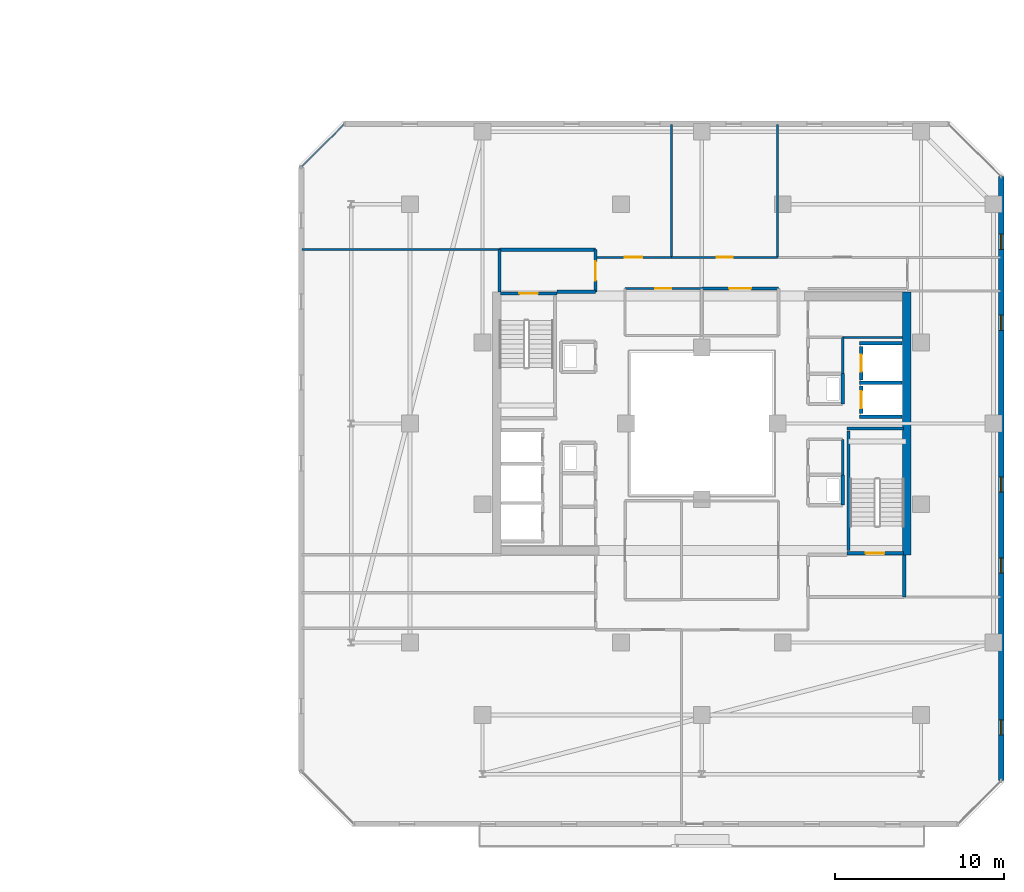
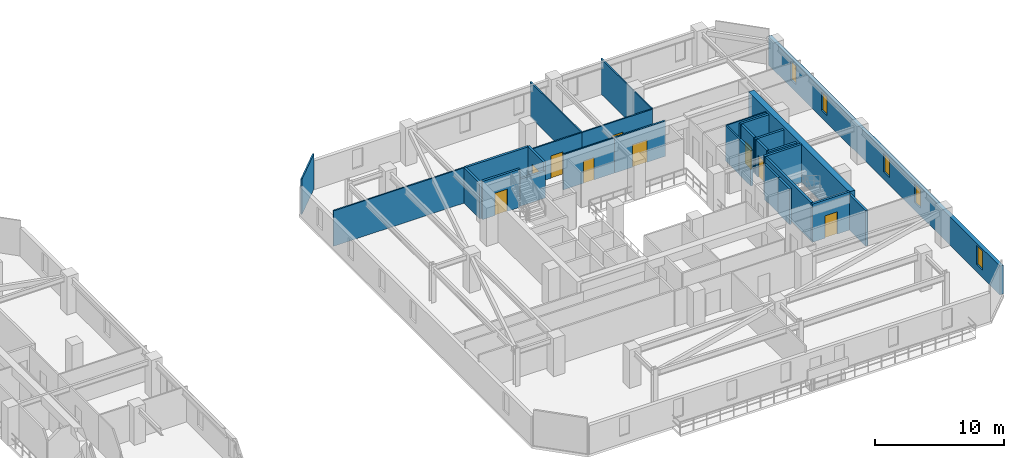
# One storey, part 25 of 33: 29 walls, 9 doors, 5 windows, 14 openings.
"""IFC4 building model written with IfcOpenShell, lengths in metres."""

import ifcopenshell
import ifcopenshell.guid

model = None  # the IFC model being written
_history = None  # IfcOwnerHistory: only IFC2X3 demands one
_inside = {}  # id of a spatial element -> (the spatial element, [elements in it])
_under = {}  # id of a project, library or spatial element -> (it, [spatial elements below it])
_declared = {}  # id of a project -> (the project, [libraries it declares])
_typed = {}  # id of a type object -> (the type object, [elements of that type])
_made_of = {}  # id of a material, layer set ... -> (it, [elements and type objects made of it])


def new_model(schema):
    """Start an empty IFC model of exactly this schema.

    Asked for "IFC4X3", IfcOpenShell would pick the latest addendum, in which some entities
    have other attributes; the version numbers below select the first issue.
    IFC2X3 requires an IfcOwnerHistory on every rooted entity: one is made here for all.
    """
    global model, _history
    if schema == "IFC4X3":
        model = ifcopenshell.file(schema_version=(4, 3, 0, 0))
    else:
        model = ifcopenshell.file(schema=schema)
    _inside.clear()
    _under.clear()
    _declared.clear()
    _typed.clear()
    _made_of.clear()
    _history = None
    if model.schema == "IFC2X3":
        org = make("IfcOrganization", Name="unknown")
        user = make(
            "IfcPersonAndOrganization",
            ThePerson=make("IfcPerson", FamilyName="unknown"),
            TheOrganization=org,
        )
        app = make(
            "IfcApplication",
            ApplicationDeveloper=org,
            Version="unknown",
            ApplicationFullName="unknown",
            ApplicationIdentifier="unknown",
        )
        _history = make(
            "IfcOwnerHistory",
            OwningUser=user,
            OwningApplication=app,
            ChangeAction="ADDED",
            CreationDate=0,
        )
    return model


def make(cls, **values):
    """One entity of the class cls with the attributes given. An attribute that is None is left unset."""
    return model.create_entity(
        cls, **{name: value for name, value in values.items() if value is not None}
    )


def rooted(cls, **values):
    """An entity with a GlobalId (a new one), such as an element, a storey or a relation."""
    return make(cls, GlobalId=ifcopenshell.guid.new(), OwnerHistory=_history, **values)


def si_unit(unit_type, name, prefix=None):
    """IfcSIUnit, for example si_unit("LENGTHUNIT", "METRE", prefix="MILLI")."""
    return make("IfcSIUnit", UnitType=unit_type, Prefix=prefix, Name=name)


def assignment(units):
    """IfcUnitAssignment: the units of a project."""
    return None if units is None else make("IfcUnitAssignment", Units=units)


def point(xyz):
    """IfcCartesianPoint."""
    return None if xyz is None else make("IfcCartesianPoint", Coordinates=xyz)


def direction(xyz):
    """IfcDirection."""
    return None if xyz is None else make("IfcDirection", DirectionRatios=xyz)


def frame(location, z_axis=None, x_axis=None):
    """IfcAxis2Placement3D, a coordinate frame: its origin and axes. An axis left out is left unset."""
    return make(
        "IfcAxis2Placement3D",
        Location=point(location),
        Axis=direction(z_axis),
        RefDirection=direction(x_axis),
    )


def frame_2d(location, x_axis=None):
    """IfcAxis2Placement2D, a coordinate frame in the plane: its origin and x axis."""
    return make(
        "IfcAxis2Placement2D", Location=point(location), RefDirection=direction(x_axis)
    )


def origin():
    """The frame at (0, 0, 0) with its axes left unset."""
    return frame((0.0, 0.0, 0.0))


def place(relative_to, where):
    """IfcLocalPlacement: puts the frame where relative to a parent placement (None: the world)."""
    return make(
        "IfcLocalPlacement", PlacementRelTo=relative_to, RelativePlacement=where
    )


def context(
    kind, dimensions, precision=None, world=None, true_north=None, identifier=None
):
    """IfcGeometricRepresentationContext, for example the 3D "Model" context."""
    return make(
        "IfcGeometricRepresentationContext",
        ContextIdentifier=identifier,
        ContextType=kind,
        CoordinateSpaceDimension=dimensions,
        Precision=precision,
        WorldCoordinateSystem=world,
        TrueNorth=true_north,
    )


def subcontext(parent, identifier, kind, view, scale=None):
    """IfcGeometricRepresentationSubContext, for example "Body" below "Model"."""
    return make(
        "IfcGeometricRepresentationSubContext",
        ContextIdentifier=identifier,
        ContextType=kind,
        ParentContext=parent,
        TargetScale=scale,
        TargetView=view,
    )


def project(units=None, contexts=None):
    """IfcProject with its units and contexts."""
    return rooted(
        "IfcProject",
        Name="project",
        RepresentationContexts=contexts,
        UnitsInContext=assignment(units),
    )


def spatial(cls, under=None, at=None, **own):
    """A site, building, storey or space (cls), placed at a placement, below another one or the project."""
    s = rooted(cls, ObjectPlacement=at, **own)
    if under is not None:
        _under.setdefault(under.id(), (under, []))[1].append(s)
    return s


def profile(cls, at=None, kind="AREA", **sizes):
    """A parametric profile (cls). Its sizes go by their IFC names, for example OverallWidth=200.0."""
    return make(cls, ProfileType=kind, Position=at, **sizes)


def rectangle(**sizes):
    """IfcRectangleProfileDef."""
    return profile("IfcRectangleProfileDef", **sizes)


def extrude(swept, where, along, depth):
    """IfcExtrudedAreaSolid: the profile swept, set in the frame where, extruded along a direction by depth."""
    return make(
        "IfcExtrudedAreaSolid",
        SweptArea=swept,
        Position=where,
        ExtrudedDirection=direction(along),
        Depth=depth,
    )


def shape(context_of_items, identifier, shape_type, items):
    """IfcShapeRepresentation: the items that make up one representation, for example the "Body"."""
    return make(
        "IfcShapeRepresentation",
        ContextOfItems=context_of_items,
        RepresentationIdentifier=identifier,
        RepresentationType=shape_type,
        Items=items,
    )


def material(Name=None, Category=None):
    """IfcMaterial."""
    return make("IfcMaterial", Name=Name, Category=Category)


def layer(
    of_material, thickness, ventilated=None, Name=None, Category=None, Priority=None
):
    """IfcMaterialLayer: one layer of a wall or slab, of a material (None: an air gap)."""
    return make(
        "IfcMaterialLayer",
        Material=of_material,
        LayerThickness=thickness,
        IsVentilated=ventilated,
        Name=Name,
        Category=Category,
        Priority=Priority,
    )


def layer_set(layers, Name=None):
    """IfcMaterialLayerSet."""
    return make("IfcMaterialLayerSet", MaterialLayers=layers, LayerSetName=Name)


def made_of(thing, what):
    """Note that an element or type object is made of a material, layer set ...; save() writes the relation."""
    if what is not None:
        _made_of.setdefault(what.id(), (what, []))[1].append(thing)
    return thing


def type_object(cls, material=None, **own):
    """A type object (cls), such as IfcWallType, which elements share."""
    return made_of(rooted(cls, **own), material)


def element(
    cls,
    number,
    at=None,
    inside=None,
    cuts=None,
    type_object=None,
    material=None,
    context=None,
    identifier="Body",
    shape_type=None,
    held_by="IfcProductDefinitionShape",
    body=None,
    shapes=None,
    **own,
):
    """One element of the class cls, such as IfcWall. Its Tag is "e" and its number.

    at: its placement. inside: the storey or other place that contains it. cuts: it is an
    opening in that element (IfcRelVoidsElement). A single representation is given by context,
    identifier, shape_type and body (its items); several are given by shapes. held_by: the class
    of the entity that holds the representations. save() writes the other relations.
    """
    e = rooted(cls, Tag="e%d" % number, ObjectPlacement=at, **own)
    if body is not None:
        shapes = [shape(context, identifier, shape_type, body)]
    if shapes is not None:
        e.Representation = make(held_by, Representations=shapes)
    if inside is not None:
        _inside.setdefault(inside.id(), (inside, []))[1].append(e)
    if cuts is not None:
        rooted(
            "IfcRelVoidsElement", RelatingBuildingElement=cuts, RelatedOpeningElement=e
        )
    if type_object is not None:
        _typed.setdefault(type_object.id(), (type_object, []))[1].append(e)
    return made_of(e, material)


def fill(opening, filler):
    """IfcRelFillsElement: the door or window that sits in an opening."""
    return rooted(
        "IfcRelFillsElement",
        RelatingOpeningElement=opening,
        RelatedBuildingElement=filler,
    )


def aggregate(whole, parts):
    """IfcRelAggregates: a whole, such as a stair, and the parts it consists of."""
    return rooted("IfcRelAggregates", RelatingObject=whole, RelatedObjects=parts)


def save(model, path):
    """Write the relations noted so far, then the file.

    IfcRelAggregates (storeys below a building ...), IfcRelContainedInSpatialStructure (elements
    in a storey), IfcRelDefinesByType, IfcRelAssociatesMaterial and IfcRelDeclares: one each for
    every whole, place, type object, material and project.
    """
    for whole, parts in _under.values():
        aggregate(whole, parts)
    for where, things in _inside.values():
        rooted(
            "IfcRelContainedInSpatialStructure",
            RelatedElements=things,
            RelatingStructure=where,
        )
    for kind, things in _typed.values():
        rooted("IfcRelDefinesByType", RelatedObjects=things, RelatingType=kind)
    for what, things in _made_of.values():
        rooted("IfcRelAssociatesMaterial", RelatedObjects=things, RelatingMaterial=what)
    for by, libraries in _declared.values():
        rooted("IfcRelDeclares", RelatingContext=by, RelatedDefinitions=libraries)
    model.write(path)


model = new_model("IFC4")

# Units and contexts
model_context = context("Model", 3, precision=1e-05, world=origin(), true_north=direction((0.0, 1.0)))
body_context = subcontext(model_context, "Body", "Model", "MODEL_VIEW")
ifc_project = project(units=[si_unit("LENGTHUNIT", "METRE"), si_unit("AREAUNIT", "SQUARE_METRE"), si_unit("VOLUMEUNIT", "CUBIC_METRE"), si_unit("PLANEANGLEUNIT", "RADIAN"), si_unit("MASSUNIT", "GRAM", prefix="KILO")], contexts=[model_context])

# Site, building, storey
site_placement = place(None, origin())
site = spatial("IfcSite", under=ifc_project, at=site_placement, CompositionType="ELEMENT")
building_placement = place(site_placement, origin())
building = spatial("IfcBuilding", under=site, at=building_placement, Name="Thornwick Lancets Civic Towers", CompositionType="ELEMENT")
storey_placement = place(building_placement, frame((0.0, 0.0, 214.5)))
storey = spatial("IfcBuildingStorey", under=building, at=storey_placement, Name="L57", CompositionType="ELEMENT", Elevation=214.5)

# Wall, opening, door
ifc_material_1 = material(Name="Concrete blockwork C40/50", Category="masonry")
ifc_layer_1 = layer(ifc_material_1, 0.199951171875, Name="Concrete blockwork C40/50")
ifc_layer_set_1 = layer_set([ifc_layer_1], Name="Concrete blockwork C40/50")
wall_type_1 = type_object("IfcWallType", Name="WALL_COMP_200", PredefinedType="STANDARD", material=ifc_layer_set_1)
wall_1_placement = place(storey_placement, frame((97.949951171875, 29.219970703125, 0.0), z_axis=(0.0, 0.0, 1.0), x_axis=(0.0, -1.0, 0.0)))
wall_1 = element("IfcWall", 1, at=wall_1_placement, inside=storey, type_object=wall_type_1, Name="L57 Hoistway Front Wall FL-B1", PredefinedType="STANDARD", context=body_context, shape_type="SweptSolid", body=[
    extrude(rectangle(XDim=1.639892578125, YDim=0.199951171875, at=frame_2d((0.81982421875, 0.0))), origin(), (0.0, 0.0, 1.0), 3.340087890625),
])
opening_1_placement = place(wall_1_placement, frame((0.31005859375, 0.0, 0.0)))
opening_1 = element("IfcOpeningElement", 2, at=opening_1_placement, cuts=wall_1, Name="Opening LD-FL-B1", PredefinedType="OPENING", context=body_context, shape_type="SweptSolid", body=[
    extrude(rectangle(XDim=1.02001953125, YDim=2.06005859375, at=frame_2d((0.510009765625, 1.030029296875))), frame((0.0, 0.10986328125, 0.0), z_axis=(0.0, -1.0, 0.0), x_axis=(1.0, 0.0, 0.0)), (0.0, 0.0, 1.0), 0.219970703125),
])
ifc_material_2 = material(Name="Brushed bronze stainless steel", Category="steel")
door_type_1 = type_object("IfcDoorType", Name="DOOR_LIFT_SLIDE", OperationType="SLIDING_TO_LEFT", PredefinedType="DOOR", material=ifc_material_2)
door_1_placement = place(opening_1_placement, origin())
door_1 = element("IfcDoor", 3, at=door_1_placement, inside=storey, type_object=door_type_1, Name="L57 Sliding Lift Landing Door LD-FL-B1", OperationType="SLIDING_TO_LEFT", OverallHeight=2.06005859375, OverallWidth=1.02001953125, PredefinedType="DOOR", context=body_context, shape_type="SweptSolid", body=[
    extrude(rectangle(XDim=1.02001953125, YDim=2.06005859375, at=frame_2d((0.510009765625, 1.030029296875))), frame((0.0, 0.02490234375, 0.0), z_axis=(0.0, -1.0, 0.0), x_axis=(1.0, 0.0, 0.0)), (0.0, 0.0, 1.0), 0.050048828125),
])
fill(opening_1, door_1)

wall_2_placement = place(storey_placement, frame((97.949951171875, 31.570068359375, 0.0), z_axis=(0.0, 0.0, 1.0), x_axis=(0.0, -1.0, 0.0)))
wall_2 = element("IfcWall", 4, at=wall_2_placement, inside=storey, type_object=wall_type_1, Name="L57 Hoistway Front Wall PL-BH1", PredefinedType="STANDARD", context=body_context, shape_type="SweptSolid", body=[
    extrude(rectangle(XDim=1.989990234375, YDim=0.199951171875, at=frame_2d((0.9951171875, 0.0))), origin(), (0.0, 0.0, 1.0), 3.340087890625),
])
opening_2_placement = place(wall_2_placement, frame((0.485107421875, 0.0, 0.0)))
opening_2 = element("IfcOpeningElement", 5, at=opening_2_placement, cuts=wall_2, Name="Opening LD-PL-BH1", PredefinedType="OPENING", context=body_context, shape_type="SweptSolid", body=[
    extrude(rectangle(XDim=1.02001953125, YDim=2.06005859375, at=frame_2d((0.510009765625, 1.030029296875))), frame((0.0, 0.10986328125, 0.0), z_axis=(0.0, -1.0, 0.0), x_axis=(1.0, 0.0, 0.0)), (0.0, 0.0, 1.0), 0.219970703125),
])
door_2_placement = place(opening_2_placement, origin())
door_2 = element("IfcDoor", 6, at=door_2_placement, inside=storey, type_object=door_type_1, Name="L57 Sliding Lift Landing Door LD-PL-BH1", OperationType="SLIDING_TO_LEFT", OverallHeight=2.06005859375, OverallWidth=1.02001953125, PredefinedType="DOOR", context=body_context, shape_type="SweptSolid", body=[
    extrude(rectangle(XDim=1.02001953125, YDim=2.06005859375, at=frame_2d((0.510009765625, 1.030029296875))), frame((0.0, 0.02490234375, 0.0), z_axis=(0.0, -1.0, 0.0), x_axis=(1.0, 0.0, 0.0)), (0.0, 0.0, 1.0), 0.050048828125),
])
fill(opening_2, door_2)

# Walls
for number, where, z_axis, x_axis, name in (
    (7, (97.85205078125, 29.39990234375, 0.0), (0.0, 0.0, 1.0), (1.0, 0.0, 0.0), "L57 Hoistway Shaft Wall FL-B1 N"),
    (8, (97.85205078125, 27.39990234375, 0.0), (0.0, 0.0, 1.0), (1.0, 0.0, 0.0), "L57 Hoistway Shaft Wall FL-B1 S"),
    (9, (97.85205078125, 31.75, 0.0), (0.0, 0.0, 1.0), (1.0, 0.0, 0.0), "L57 Hoistway Shaft Wall PL-BH1 N"),
):
    element("IfcWall", number, at=place(storey_placement, frame(where, z_axis=z_axis, x_axis=x_axis)), inside=storey, type_object=wall_type_1, Name=name, PredefinedType="STANDARD", context=body_context, shape_type="SweptSolid", body=[
        extrude(rectangle(XDim=2.535888671875, YDim=0.199951171875, at=frame_2d((1.26806640625, 0.0))), origin(), (0.0, 0.0, 1.0), 3.340087890625),
    ])
wall_3_placement = place(storey_placement, frame((100.5, 16.699951171875, 0.0), z_axis=(0.0, 0.0, 1.0), x_axis=(0.0, 1.0, 0.0)))
element("IfcWall", 10, at=wall_3_placement, inside=storey, type_object=wall_type_1, Name="L57 Partition L57-B-FFLOB1 E2", PredefinedType="STANDARD", context=body_context, shape_type="SweptSolid", body=[
    extrude(rectangle(XDim=2.5, YDim=0.199951171875, at=frame_2d((1.25, 0.0))), origin(), (0.0, 0.0, 1.0), 3.340087890625),
])
wall_4_placement = place(storey_placement, frame((79.89990234375, 34.800048828125, 0.0), z_axis=(0.0, 0.0, 1.0), x_axis=(1.0, 0.0, 0.0)))
element("IfcWall", 11, at=wall_4_placement, inside=storey, type_object=wall_type_1, Name="L57 Partition L57-B-FFLOB2 E1", PredefinedType="STANDARD", context=body_context, shape_type="SweptSolid", body=[
    extrude(rectangle(XDim=2.300048828125, YDim=0.199951171875, at=frame_2d((1.14990234375, 0.0))), origin(), (0.0, 0.0, 1.0), 2.544921875),
])

# Wall, opening, door
wall_5_placement = place(storey_placement, frame((82.199951171875, 34.800048828125, 0.0), z_axis=(0.0, 0.0, 1.0), x_axis=(0.0, 1.0, 0.0)))
wall_5 = element("IfcWall", 12, at=wall_5_placement, inside=storey, type_object=wall_type_1, Name="L57 Partition L57-B-FFLOB2 E2", PredefinedType="STANDARD", context=body_context, shape_type="SweptSolid", body=[
    extrude(rectangle(XDim=2.5, YDim=0.199951171875, at=frame_2d((1.25, 0.0))), origin(), (0.0, 0.0, 1.0), 3.340087890625),
])
opening_3_placement = place(wall_5_placement, frame((0.659912109375, 0.0, 0.0)))
opening_3 = element("IfcOpeningElement", 13, at=opening_3_placement, cuts=wall_5, Name="Opening D-L57-2541", PredefinedType="OPENING", context=body_context, shape_type="SweptSolid", body=[
    extrude(rectangle(XDim=1.14990234375, YDim=2.10009765625, at=frame_2d((0.574951171875, 1.050048828125))), frame((0.0, 0.10986328125, 0.0), z_axis=(0.0, -1.0, 0.0), x_axis=(1.0, 0.0, 0.0)), (0.0, 0.0, 1.0), 0.219970703125),
])
ifc_material_3 = material(Name="Glazed fire-resisting steel", Category="steel")
door_type_2 = type_object("IfcDoorType", Name="DOOR_LOBBY_FD60", OperationType="NOTDEFINED", PredefinedType="DOOR", material=ifc_material_3)
door_3_placement = place(opening_3_placement, origin())
door_3 = element("IfcDoor", 14, at=door_3_placement, inside=storey, type_object=door_type_2, Name="L57 West Firefighting Lobby 2 Door", OperationType="SINGLE_SWING_RIGHT", OverallHeight=2.10009765625, OverallWidth=1.14990234375, PredefinedType="DOOR", context=body_context, shape_type="SweptSolid", body=[
    extrude(rectangle(XDim=1.14990234375, YDim=2.10009765625, at=frame_2d((0.574951171875, 1.050048828125))), frame((0.0, 0.02490234375, 0.0), z_axis=(0.0, -1.0, 0.0), x_axis=(1.0, 0.0, 0.0)), (0.0, 0.0, 1.0), 0.050048828125),
])
fill(opening_3, door_3)

# Walls
wall_6_placement = place(storey_placement, frame((82.199951171875, 37.300048828125, 0.0), z_axis=(0.0, 0.0, 1.0), x_axis=(-1.0, 0.0, 0.0)))
element("IfcWall", 15, at=wall_6_placement, inside=storey, type_object=wall_type_1, Name="L57 Partition L57-B-FFLOB2 E3", PredefinedType="STANDARD", context=body_context, shape_type="SweptSolid", body=[
    extrude(rectangle(XDim=5.699951171875, YDim=0.199951171875, at=frame_2d((2.85009765625, 0.0))), origin(), (0.0, 0.0, 1.0), 3.340087890625),
])
wall_7_placement = place(storey_placement, frame((76.5, 37.300048828125, 0.0), z_axis=(0.0, 0.0, 1.0), x_axis=(0.0, -1.0, 0.0)))
element("IfcWall", 16, at=wall_7_placement, inside=storey, type_object=wall_type_1, Name="L57 Partition L57-B-FFLOB2 E4", PredefinedType="STANDARD", context=body_context, shape_type="SweptSolid", body=[
    extrude(rectangle(XDim=2.5, YDim=0.199951171875, at=frame_2d((1.25, 0.0))), origin(), (0.0, 0.0, 1.0), 3.340087890625),
])
for number, where, z_axis, x_axis, name in (
    (17, (96.85009765625, 28.14990234375, 0.0), (0.0, 0.0, 1.0), (0.0, 1.0, 0.0), "L57 Partition L57-B-DUCT1 E2"),
    (18, (96.85009765625, 22.14990234375, 0.0), (0.0, 0.0, 1.0), (0.0, 1.0, 0.0), "L57 Partition L57-B-RISER1 E2"),
):
    element("IfcWall", number, at=place(storey_placement, frame(where, z_axis=z_axis, x_axis=x_axis)), inside=storey, type_object=wall_type_1, Name=name, PredefinedType="STANDARD", context=body_context, shape_type="SweptSolid", body=[
        extrude(rectangle(XDim=1.800048828125, YDim=0.199951171875, at=frame_2d((0.89990234375, 0.0))), origin(), (0.0, 0.0, 1.0), 3.340087890625),
    ])
ifc_material_4 = material(Name="Concrete C50/60", Category="concrete")
ifc_layer_2 = layer(ifc_material_4, 0.5, Name="Concrete C50/60")
ifc_layer_set_2 = layer_set([ifc_layer_2], Name="Concrete C50/60")
wall_type_2 = type_object("IfcWallType", Name="WALL_CORE_500", PredefinedType="SHEAR", material=ifc_layer_set_2)
wall_8_placement = place(storey_placement, frame((100.64990234375, 19.199951171875, 0.0), z_axis=(0.0, 0.0, 1.0), x_axis=(0.0, 1.0, 0.0)))
element("IfcWall", 19, at=wall_8_placement, inside=storey, type_object=wall_type_2, Name="L57 Split Core B1 Shear Wall E", PredefinedType="SHEAR", context=body_context, shape_type="SweptSolid", body=[
    extrude(rectangle(XDim=15.60009765625, YDim=0.5, at=frame_2d((7.800048828125, 0.0))), origin(), (0.0, 0.0, 1.0), 3.60009765625),
])

# Wall, openings, windows
ifc_material_5 = material(Name="Insulated buff terracotta rainscreen on concrete C40/50", Category="masonry")
ifc_layer_3 = layer(ifc_material_5, 0.320068359375, Name="Insulated buff terracotta rainscreen on concrete C40/50")
ifc_layer_set_3 = layer_set([ifc_layer_3], Name="Insulated buff terracotta rainscreen on concrete C40/50")
wall_type_3 = type_object("IfcWallType", Name="WALL_EXT_TERRA_320", PredefinedType="STANDARD", material=ifc_layer_set_3)
wall_9_placement = place(storey_placement, frame((106.2646484375, 5.818603515625, 0.0), z_axis=(0.0, 0.0, 1.0), x_axis=(-5.4540124e-05, 0.999999998513, 0.0)))
wall_9 = element("IfcWall", 20, at=wall_9_placement, inside=storey, type_object=wall_type_3, Name="L57 Tower B Terracotta Facade Wall E2", PredefinedType="STANDARD", context=body_context, shape_type="SweptSolid", body=[
    extrude(rectangle(XDim=35.810791015625, YDim=0.320068359375, at=frame_2d((17.9052734375, 0.0))), origin(), (0.0, 0.0, 1.0), 2.699951171875),
])
opening_4_placement = place(wall_9_placement, frame((2.699951171875, 0.0, 0.719970703125)))
opening_4 = element("IfcOpeningElement", 21, at=opening_4_placement, cuts=wall_9, Name="Opening WL-01", PredefinedType="OPENING", context=body_context, shape_type="SweptSolid", body=[
    extrude(rectangle(XDim=0.89990234375, YDim=1.75, at=frame_2d((0.449951171875, 0.875))), frame((0.0, 0.169921875, 0.0), z_axis=(0.0, -1.0, 0.0), x_axis=(1.0, 0.0, 0.0)), (0.0, 0.0, 1.0), 0.340087890625),
])
opening_5_placement = place(wall_9_placement, frame((12.300048828125, 0.0, 0.719970703125)))
opening_5 = element("IfcOpeningElement", 22, at=opening_5_placement, cuts=wall_9, Name="Opening WL-01", PredefinedType="OPENING", context=body_context, shape_type="SweptSolid", body=[
    extrude(rectangle(XDim=0.89990234375, YDim=1.75, at=frame_2d((0.449951171875, 0.875))), frame((0.0, 0.169921875, 0.0), z_axis=(0.0, -1.0, 0.0), x_axis=(1.0, 0.0, 0.0)), (0.0, 0.0, 1.0), 0.340087890625),
])
opening_6_placement = place(wall_9_placement, frame((17.10009765625, 0.0, 0.719970703125)))
opening_6 = element("IfcOpeningElement", 23, at=opening_6_placement, cuts=wall_9, Name="Opening WL-01", PredefinedType="OPENING", context=body_context, shape_type="SweptSolid", body=[
    extrude(rectangle(XDim=0.89990234375, YDim=1.75, at=frame_2d((0.449951171875, 0.875))), frame((0.0, 0.169921875, 0.0), z_axis=(0.0, -1.0, 0.0), x_axis=(1.0, 0.0, 0.0)), (0.0, 0.0, 1.0), 0.340087890625),
])
opening_7_placement = place(wall_9_placement, frame((26.699951171875, 0.0, 0.719970703125)))
opening_7 = element("IfcOpeningElement", 24, at=opening_7_placement, cuts=wall_9, Name="Opening WL-01", PredefinedType="OPENING", context=body_context, shape_type="SweptSolid", body=[
    extrude(rectangle(XDim=0.89990234375, YDim=1.75, at=frame_2d((0.449951171875, 0.875))), frame((0.0, 0.169921875, 0.0), z_axis=(0.0, -1.0, 0.0), x_axis=(1.0, 0.0, 0.0)), (0.0, 0.0, 1.0), 0.340087890625),
])
opening_8_placement = place(wall_9_placement, frame((31.5, 0.0, 0.719970703125)))
opening_8 = element("IfcOpeningElement", 25, at=opening_8_placement, cuts=wall_9, Name="Opening WL-01", PredefinedType="OPENING", context=body_context, shape_type="SweptSolid", body=[
    extrude(rectangle(XDim=0.89990234375, YDim=1.75, at=frame_2d((0.449951171875, 0.875))), frame((0.0, 0.169921875, 0.0), z_axis=(0.0, -1.0, 0.0), x_axis=(1.0, 0.0, 0.0)), (0.0, 0.0, 1.0), 0.340087890625),
])
ifc_material_6 = material(Name="Clear low-e double glazing in bronze frame", Category="glass")
window_type = type_object("IfcWindowType", Name="WIN_LANCET_900", PartitioningType="SINGLE_PANEL", PredefinedType="WINDOW", material=ifc_material_6)
window_1_placement = place(opening_4_placement, origin())
window_1 = element("IfcWindow", 26, at=window_1_placement, inside=storey, type_object=window_type, Name="L57 Tower B Staggered Lancet Window E2-1", OverallHeight=1.75, OverallWidth=0.89990234375, PartitioningType="SINGLE_PANEL", PredefinedType="WINDOW", context=body_context, shape_type="SweptSolid", body=[
    extrude(rectangle(XDim=0.89990234375, YDim=1.75, at=frame_2d((0.449951171875, 0.875))), frame((0.0, 0.030029296875, 0.0), z_axis=(0.0, -1.0, 0.0), x_axis=(1.0, 0.0, 0.0)), (0.0, 0.0, 1.0), 0.06005859375),
])
fill(opening_4, window_1)
window_2_placement = place(opening_5_placement, origin())
window_2 = element("IfcWindow", 27, at=window_2_placement, inside=storey, type_object=window_type, Name="L57 Tower B Staggered Lancet Window E2-2", OverallHeight=1.75, OverallWidth=0.89990234375, PartitioningType="SINGLE_PANEL", PredefinedType="WINDOW", context=body_context, shape_type="SweptSolid", body=[
    extrude(rectangle(XDim=0.89990234375, YDim=1.75, at=frame_2d((0.449951171875, 0.875))), frame((0.0, 0.030029296875, 0.0), z_axis=(0.0, -1.0, 0.0), x_axis=(1.0, 0.0, 0.0)), (0.0, 0.0, 1.0), 0.06005859375),
])
fill(opening_5, window_2)
window_3_placement = place(opening_6_placement, origin())
window_3 = element("IfcWindow", 28, at=window_3_placement, inside=storey, type_object=window_type, Name="L57 Tower B Staggered Lancet Window E2-3", OverallHeight=1.75, OverallWidth=0.89990234375, PartitioningType="SINGLE_PANEL", PredefinedType="WINDOW", context=body_context, shape_type="SweptSolid", body=[
    extrude(rectangle(XDim=0.89990234375, YDim=1.75, at=frame_2d((0.449951171875, 0.875))), frame((0.0, 0.030029296875, 0.0), z_axis=(0.0, -1.0, 0.0), x_axis=(1.0, 0.0, 0.0)), (0.0, 0.0, 1.0), 0.06005859375),
])
fill(opening_6, window_3)
window_4_placement = place(opening_7_placement, origin())
window_4 = element("IfcWindow", 29, at=window_4_placement, inside=storey, type_object=window_type, Name="L57 Tower B Staggered Lancet Window E2-4", OverallHeight=1.75, OverallWidth=0.89990234375, PartitioningType="SINGLE_PANEL", PredefinedType="WINDOW", context=body_context, shape_type="SweptSolid", body=[
    extrude(rectangle(XDim=0.89990234375, YDim=1.75, at=frame_2d((0.449951171875, 0.875))), frame((0.0, 0.030029296875, 0.0), z_axis=(0.0, -1.0, 0.0), x_axis=(1.0, 0.0, 0.0)), (0.0, 0.0, 1.0), 0.06005859375),
])
fill(opening_7, window_4)
window_5_placement = place(opening_8_placement, origin())
window_5 = element("IfcWindow", 30, at=window_5_placement, inside=storey, type_object=window_type, Name="L57 Tower B Staggered Lancet Window E2-5", OverallHeight=1.75, OverallWidth=0.89990234375, PartitioningType="SINGLE_PANEL", PredefinedType="WINDOW", context=body_context, shape_type="SweptSolid", body=[
    extrude(rectangle(XDim=0.89990234375, YDim=1.75, at=frame_2d((0.449951171875, 0.875))), frame((0.0, 0.030029296875, 0.0), z_axis=(0.0, -1.0, 0.0), x_axis=(1.0, 0.0, 0.0)), (0.0, 0.0, 1.0), 0.06005859375),
])
fill(opening_8, window_5)

# Walls
ifc_material_7 = material(Name="Acoustic gypsum board partition")
ifc_layer_4 = layer(ifc_material_7, 0.1201171875, Name="Acoustic gypsum board partition")
ifc_layer_set_4 = layer_set([ifc_layer_4], Name="Acoustic gypsum board partition")
wall_type_4 = type_object("IfcWallType", Name="WALL_PART_120", PredefinedType="PARTITIONING", material=ifc_layer_set_4)
wall_10_placement = place(storey_placement, frame((100.39990234375, 32.10009765625, 0.0), z_axis=(0.0, 0.0, 1.0), x_axis=(-1.0, 0.0, 0.0)))
element("IfcWall", 31, at=wall_10_placement, inside=storey, type_object=wall_type_4, Name="L57 Partition L57-B-ITR E4", PredefinedType="PARTITIONING", context=body_context, shape_type="SweptSolid", body=[
    extrude(rectangle(XDim=3.5498046875, YDim=0.1201171875, at=frame_2d((1.77490234375, 0.0))), origin(), (0.0, 0.0, 1.0), 3.340087890625),
])
for number, where, z_axis, x_axis, name in (
    (32, (93.0, 36.85009765625, 0.0), (0.0, 0.0, 1.0), (0.0, 1.0, 0.0), "L57 Partition L57-B-E1 E2"),
    (33, (86.699951171875, 36.85009765625, 0.0), (0.0, 0.0, 1.0), (0.0, 1.0, 0.0), "L57 Partition L57-B-E2 E1"),
):
    element("IfcWall", number, at=place(storey_placement, frame(where, z_axis=z_axis, x_axis=x_axis)), inside=storey, type_object=wall_type_4, Name=name, PredefinedType="PARTITIONING", context=body_context, shape_type="SweptSolid", body=[
        extrude(rectangle(XDim=7.869873046875, YDim=0.1201171875, at=frame_2d((3.93505859375, 0.0))), origin(), (0.0, 0.0, 1.0), 3.340087890625),
    ])

# Wall, opening, door
wall_11_placement = place(storey_placement, frame((93.0, 36.85009765625, 0.0), z_axis=(0.0, 0.0, 1.0), x_axis=(-1.0, 0.0, 0.0)))
wall_11 = element("IfcWall", 34, at=wall_11_placement, inside=storey, type_object=wall_type_4, Name="L57 Partition L57-B-E2 E4", PredefinedType="PARTITIONING", context=body_context, shape_type="SweptSolid", body=[
    extrude(rectangle(XDim=6.300048828125, YDim=0.1201171875, at=frame_2d((3.14990234375, 0.0))), origin(), (0.0, 0.0, 1.0), 3.340087890625),
])
opening_9_placement = place(wall_11_placement, frame((2.675048828125, 0.0, 0.0)))
opening_9 = element("IfcOpeningElement", 35, at=opening_9_placement, cuts=wall_11, Name="Opening D-L57-2571", PredefinedType="OPENING", context=body_context, shape_type="SweptSolid", body=[
    extrude(rectangle(XDim=0.949951171875, YDim=2.10009765625, at=frame_2d((0.47509765625, 1.050048828125))), frame((0.0, 0.070068359375, 0.0), z_axis=(0.0, -1.0, 0.0), x_axis=(1.0, 0.0, 0.0)), (0.0, 0.0, 1.0), 0.14013671875),
])
ifc_material_8 = material(Name="European oak acoustic doorset")
door_type_3 = type_object("IfcDoorType", Name="DOOR_OFFICE_950", OperationType="NOTDEFINED", PredefinedType="DOOR", material=ifc_material_8)
door_4_placement = place(opening_9_placement, origin())
door_4 = element("IfcDoor", 36, at=door_4_placement, inside=storey, type_object=door_type_3, Name="L57 Tower B Visitors Reception and Waiting Door", OperationType="SINGLE_SWING_RIGHT", OverallHeight=2.10009765625, OverallWidth=0.949951171875, PredefinedType="DOOR", context=body_context, shape_type="SweptSolid", body=[
    extrude(rectangle(XDim=0.949951171875, YDim=2.10009765625, at=frame_2d((0.47509765625, 1.050048828125))), frame((0.0, 0.02490234375, 0.0), z_axis=(0.0, -1.0, 0.0), x_axis=(1.0, 0.0, 0.0)), (0.0, 0.0, 1.0), 0.050048828125),
])
fill(opening_9, door_4)

# Walls
wall_12_placement = place(storey_placement, frame((76.5, 37.300048828125, 0.0), z_axis=(0.0, 0.0, 1.0), x_axis=(-1.0, 0.0, 0.0)))
element("IfcWall", 37, at=wall_12_placement, inside=storey, type_object=wall_type_4, Name="L57 Partition L57-B-E3 E3", PredefinedType="PARTITIONING", context=body_context, shape_type="SweptSolid", body=[
    extrude(rectangle(XDim=11.719970703125, YDim=0.1201171875, at=frame_2d((5.85986328125, 0.0))), origin(), (0.0, 0.0, 1.0), 3.340087890625),
])
wall_13_placement = place(storey_placement, frame((64.780029296875, 42.225341796875, 0.0), z_axis=(0.0, 0.0, 1.0), x_axis=(0.707106781187, 0.707106781187, 0.0)))
element("IfcWall", 38, at=wall_13_placement, inside=storey, type_object=wall_type_4, Name="L57 Partition L57-B-E3 E5", PredefinedType="PARTITIONING", context=body_context, shape_type="SweptSolid", body=[
    extrude(rectangle(XDim=3.52783203125, YDim=0.1201171875, at=frame_2d((1.763916015625, 0.0))), origin(), (0.0, 0.0, 1.0), 3.340087890625),
])

# Wall, opening, door
wall_14_placement = place(storey_placement, frame((86.699951171875, 36.85009765625, 0.0), z_axis=(0.0, 0.0, 1.0), x_axis=(-1.0, 0.0, 0.0)))
wall_14 = element("IfcWall", 39, at=wall_14_placement, inside=storey, type_object=wall_type_4, Name="L57 Partition L57-B-E3 E8", PredefinedType="PARTITIONING", context=body_context, shape_type="SweptSolid", body=[
    extrude(rectangle(XDim=4.5, YDim=0.1201171875, at=frame_2d((2.25, 0.0))), origin(), (0.0, 0.0, 1.0), 3.340087890625),
])
opening_10_placement = place(wall_14_placement, frame((1.72509765625, 0.0, 0.0)))
opening_10 = element("IfcOpeningElement", 40, at=opening_10_placement, cuts=wall_14, Name="Opening D-L57-2572", PredefinedType="OPENING", context=body_context, shape_type="SweptSolid", body=[
    extrude(rectangle(XDim=1.050048828125, YDim=2.10009765625, at=frame_2d((0.52490234375, 1.050048828125))), frame((0.0, 0.070068359375, 0.0), z_axis=(0.0, -1.0, 0.0), x_axis=(1.0, 0.0, 0.0)), (0.0, 0.0, 1.0), 0.14013671875),
])
ifc_material_9 = material(Name="Glazed European oak executive doorset")
door_type_4 = type_object("IfcDoorType", Name="DOOR_OFFICE_1050", OperationType="NOTDEFINED", PredefinedType="DOOR", material=ifc_material_9)
door_5_placement = place(opening_10_placement, origin())
door_5 = element("IfcDoor", 41, at=door_5_placement, inside=storey, type_object=door_type_4, Name="L57 Tower B Civic Seminar Room Door", OperationType="SINGLE_SWING_LEFT", OverallHeight=2.10009765625, OverallWidth=1.050048828125, PredefinedType="DOOR", context=body_context, shape_type="SweptSolid", body=[
    extrude(rectangle(XDim=1.050048828125, YDim=2.10009765625, at=frame_2d((0.52490234375, 1.050048828125))), frame((0.0, 0.02490234375, 0.0), z_axis=(0.0, -1.0, 0.0), x_axis=(1.0, 0.0, 0.0)), (0.0, 0.0, 1.0), 0.050048828125),
])
fill(opening_10, door_5)

wall_15_placement = place(storey_placement, frame((83.949951171875, 35.0, 0.0), z_axis=(0.0, 0.0, 1.0), x_axis=(1.0, 0.0, 0.0)))
wall_15 = element("IfcWall", 42, at=wall_15_placement, inside=storey, type_object=wall_type_4, Name="L57 Partition L57-B-E-ATR-2 E2", PredefinedType="PARTITIONING", context=body_context, shape_type="SweptSolid", body=[
    extrude(rectangle(XDim=4.550048828125, YDim=0.1201171875, at=frame_2d((2.27490234375, 0.0))), origin(), (0.0, 0.0, 1.0), 3.340087890625),
])
opening_11_placement = place(wall_15_placement, frame((1.800048828125, 0.0, 0.0)))
opening_11 = element("IfcOpeningElement", 43, at=opening_11_placement, cuts=wall_15, Name="Opening D-L57-2574", PredefinedType="OPENING", context=body_context, shape_type="SweptSolid", body=[
    extrude(rectangle(XDim=0.949951171875, YDim=2.10009765625, at=frame_2d((0.47509765625, 1.050048828125))), frame((0.0, 0.070068359375, 0.0), z_axis=(0.0, -1.0, 0.0), x_axis=(1.0, 0.0, 0.0)), (0.0, 0.0, 1.0), 0.14013671875),
])
door_6_placement = place(opening_11_placement, origin())
door_6 = element("IfcDoor", 44, at=door_6_placement, inside=storey, type_object=door_type_3, Name="L57 Tower B Atrium Research Suite Door", OperationType="SINGLE_SWING_LEFT", OverallHeight=2.10009765625, OverallWidth=0.949951171875, PredefinedType="DOOR", context=body_context, shape_type="SweptSolid", body=[
    extrude(rectangle(XDim=0.949951171875, YDim=2.10009765625, at=frame_2d((0.47509765625, 1.050048828125))), frame((0.0, 0.02490234375, 0.0), z_axis=(0.0, -1.0, 0.0), x_axis=(1.0, 0.0, 0.0)), (0.0, 0.0, 1.0), 0.050048828125),
])
fill(opening_11, door_6)

# Walls
ifc_material_10 = material(Name="Twin-stud acoustic gypsum board")
ifc_layer_5 = layer(ifc_material_10, 0.14990234375, Name="Twin-stud acoustic gypsum board")
ifc_layer_set_5 = layer_set([ifc_layer_5], Name="Twin-stud acoustic gypsum board")
wall_type_5 = type_object("IfcWallType", Name="WALL_PART_150", PredefinedType="PARTITIONING", material=ifc_layer_set_5)
wall_16_placement = place(storey_placement, frame((96.85009765625, 26.050048828125, 0.0), z_axis=(0.0, 0.0, 1.0), x_axis=(0.0, -1.0, 0.0)))
element("IfcWall", 45, at=wall_16_placement, inside=storey, type_object=wall_type_5, Name="L57 Partition L57-B-MWC E3", PredefinedType="PARTITIONING", context=body_context, shape_type="SweptSolid", body=[
    extrude(rectangle(XDim=2.10009765625, YDim=0.14990234375, at=frame_2d((1.050048828125, 0.0))), origin(), (0.0, 0.0, 1.0), 3.340087890625),
])
wall_17_placement = place(storey_placement, frame((96.85009765625, 32.10009765625, 0.0), z_axis=(0.0, 0.0, 1.0), x_axis=(0.0, -1.0, 0.0)))
element("IfcWall", 46, at=wall_17_placement, inside=storey, type_object=wall_type_5, Name="L57 Partition L57-B-FWC E3", PredefinedType="PARTITIONING", context=body_context, shape_type="SweptSolid", body=[
    extrude(rectangle(XDim=2.150146484375, YDim=0.14990234375, at=frame_2d((1.0751953125, 0.0))), origin(), (0.0, 0.0, 1.0), 3.340087890625),
])

# Wall, opening, door
wall_18_placement = place(storey_placement, frame((88.5, 35.0, 0.0), z_axis=(0.0, 0.0, 1.0), x_axis=(1.0, 0.0, 0.0)))
wall_18 = element("IfcWall", 47, at=wall_18_placement, inside=storey, type_object=wall_type_5, Name="L57 Partition L57-B-E-ATR-1 E2", PredefinedType="PARTITIONING", context=body_context, shape_type="SweptSolid", body=[
    extrude(rectangle(XDim=4.550048828125, YDim=0.14990234375, at=frame_2d((2.27490234375, 0.0))), origin(), (0.0, 0.0, 1.0), 3.340087890625),
])
opening_12_placement = place(wall_18_placement, frame((1.625, 0.0, 0.0)))
opening_12 = element("IfcOpeningElement", 48, at=opening_12_placement, cuts=wall_18, Name="Opening D-L57-2573", PredefinedType="OPENING", context=body_context, shape_type="SweptSolid", body=[
    extrude(rectangle(XDim=1.300048828125, YDim=2.1201171875, at=frame_2d((0.64990234375, 1.06005859375))), frame((0.0, 0.0849609375, 0.0), z_axis=(0.0, -1.0, 0.0), x_axis=(1.0, 0.0, 0.0)), (0.0, 0.0, 1.0), 0.169921875),
])
ifc_material_11 = material(Name="Acoustic oak leaf-and-a-half doorset")
door_type_5 = type_object("IfcDoorType", Name="DOOR_MEET_1300", OperationType="DOUBLE_DOOR_SINGLE_SWING", PredefinedType="DOOR", material=ifc_material_11)
door_7_placement = place(opening_12_placement, origin())
door_7 = element("IfcDoor", 49, at=door_7_placement, inside=storey, type_object=door_type_5, Name="L57 Tower B Atrium Briefing Room Door", OperationType="DOUBLE_DOOR_SINGLE_SWING", OverallHeight=2.1201171875, OverallWidth=1.300048828125, PredefinedType="DOOR", context=body_context, shape_type="SweptSolid", body=[
    extrude(rectangle(XDim=1.300048828125, YDim=2.1201171875, at=frame_2d((0.64990234375, 1.06005859375))), frame((0.0, 0.02490234375, 0.0), z_axis=(0.0, -1.0, 0.0), x_axis=(1.0, 0.0, 0.0)), (0.0, 0.0, 1.0), 0.050048828125),
])
fill(opening_12, door_7)

ifc_material_12 = material(Name="Concrete C40/50", Category="concrete")
ifc_layer_6 = layer(ifc_material_12, 0.199951171875, Name="Concrete C40/50")
ifc_layer_set_6 = layer_set([ifc_layer_6], Name="Concrete C40/50")
wall_type_6 = type_object("IfcWallType", Name="WALL_SHAFT_200", PredefinedType="SHEAR", material=ifc_layer_set_6)
wall_19_placement = place(storey_placement, frame((100.449951171875, 19.300048828125, 0.0), z_axis=(0.0, 0.0, 1.0), x_axis=(-1.0, 0.0, 0.0)))
wall_19 = element("IfcWall", 50, at=wall_19_placement, inside=storey, type_object=wall_type_6, Name="L57 ST-B1 Fire Stair Core Wall NEAR", PredefinedType="SHEAR", context=body_context, shape_type="SweptSolid", body=[
    extrude(rectangle(XDim=3.349853515625, YDim=0.199951171875, at=frame_2d((1.6748046875, 0.0))), origin(), (0.0, 0.0, 1.0), 3.60009765625),
])
opening_13_placement = place(wall_19_placement, frame((1.125, 0.0, 0.0)))
opening_13 = element("IfcOpeningElement", 51, at=opening_13_placement, cuts=wall_19, Name="Opening D-ST-B1-L57", PredefinedType="OPENING", context=body_context, shape_type="SweptSolid", body=[
    extrude(rectangle(XDim=1.10009765625, YDim=2.10009765625, at=frame_2d((0.550048828125, 1.050048828125))), frame((0.0, 0.10986328125, 0.0), z_axis=(0.0, -1.0, 0.0), x_axis=(1.0, 0.0, 0.0)), (0.0, 0.0, 1.0), 0.219970703125),
])
ifc_material_13 = material(Name="Fire-resisting steel and hardwood", Category="steel")
door_type_6 = type_object("IfcDoorType", Name="DOOR_STAIR_FD60", OperationType="NOTDEFINED", PredefinedType="DOOR", material=ifc_material_13)
door_8_placement = place(opening_13_placement, origin())
door_8 = element("IfcDoor", 52, at=door_8_placement, inside=storey, type_object=door_type_6, Name="L57 ST-B1 Exit Stair Door", OperationType="SINGLE_SWING_RIGHT", OverallHeight=2.10009765625, OverallWidth=1.10009765625, PredefinedType="DOOR", context=body_context, shape_type="SweptSolid", body=[
    extrude(rectangle(XDim=1.10009765625, YDim=2.10009765625, at=frame_2d((0.550048828125, 1.050048828125))), frame((0.0, 0.02490234375, 0.0), z_axis=(0.0, -1.0, 0.0), x_axis=(1.0, 0.0, 0.0)), (0.0, 0.0, 1.0), 0.050048828125),
])
fill(opening_13, door_8)

# Walls
wall_20_placement = place(storey_placement, frame((97.10009765625, 26.699951171875, 0.0), z_axis=(0.0, 0.0, 1.0), x_axis=(1.0, 0.0, 0.0)))
element("IfcWall", 53, at=wall_20_placement, inside=storey, type_object=wall_type_6, Name="L57 ST-B1 Fire Stair Core Wall FAR", PredefinedType="SHEAR", context=body_context, shape_type="SweptSolid", body=[
    extrude(rectangle(XDim=3.349853515625, YDim=0.199951171875, at=frame_2d((1.6748046875, 0.0))), origin(), (0.0, 0.0, 1.0), 3.60009765625),
])
wall_21_placement = place(storey_placement, frame((97.202880859375, 26.550048828125, 0.0), z_axis=(0.0, 0.0, 1.0), x_axis=(0.0, -1.0, 0.0)))
element("IfcWall", 54, at=wall_21_placement, inside=storey, type_object=wall_type_6, Name="L57 ST-B1 Fire Stair Core Wall RIGHT", PredefinedType="SHEAR", context=body_context, shape_type="SweptSolid", body=[
    extrude(rectangle(XDim=7.10009765625, YDim=0.199951171875, at=frame_2d((3.550048828125, 0.0))), origin(), (0.0, 0.0, 1.0), 3.60009765625),
])

# Wall, opening, door
wall_22_placement = place(storey_placement, frame((76.550048828125, 34.699951171875, 0.0), z_axis=(0.0, 0.0, 1.0), x_axis=(1.0, 0.0, 0.0)))
wall_22 = element("IfcWall", 55, at=wall_22_placement, inside=storey, type_object=wall_type_6, Name="L57 ST-B2 Fire Stair Core Wall NEAR", PredefinedType="SHEAR", context=body_context, shape_type="SweptSolid", body=[
    extrude(rectangle(XDim=3.349853515625, YDim=0.199951171875, at=frame_2d((1.6748046875, 0.0))), origin(), (0.0, 0.0, 1.0), 3.60009765625),
])
opening_14_placement = place(wall_22_placement, frame((1.125, 0.0, 0.0)))
opening_14 = element("IfcOpeningElement", 56, at=opening_14_placement, cuts=wall_22, Name="Opening D-ST-B2-L57", PredefinedType="OPENING", context=body_context, shape_type="SweptSolid", body=[
    extrude(rectangle(XDim=1.10009765625, YDim=2.10009765625, at=frame_2d((0.550048828125, 1.050048828125))), frame((0.0, 0.10986328125, 0.0), z_axis=(0.0, -1.0, 0.0), x_axis=(1.0, 0.0, 0.0)), (0.0, 0.0, 1.0), 0.219970703125),
])
door_9_placement = place(opening_14_placement, origin())
door_9 = element("IfcDoor", 57, at=door_9_placement, inside=storey, type_object=door_type_6, Name="L57 ST-B2 Exit Stair Door", OperationType="SINGLE_SWING_LEFT", OverallHeight=2.10009765625, OverallWidth=1.10009765625, PredefinedType="DOOR", context=body_context, shape_type="SweptSolid", body=[
    extrude(rectangle(XDim=1.10009765625, YDim=2.10009765625, at=frame_2d((0.550048828125, 1.050048828125))), frame((0.0, 0.02490234375, 0.0), z_axis=(0.0, -1.0, 0.0), x_axis=(1.0, 0.0, 0.0)), (0.0, 0.0, 1.0), 0.050048828125),
])
fill(opening_14, door_9)

save(model, "model.ifc")
